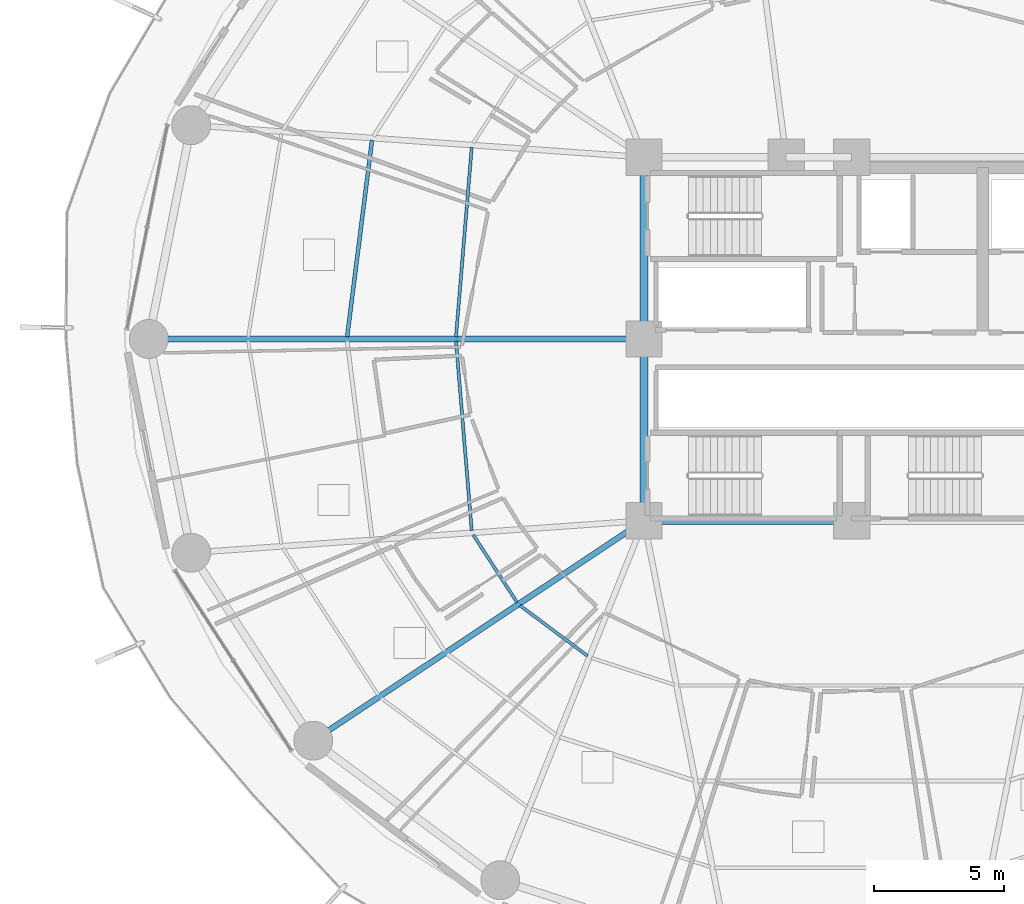
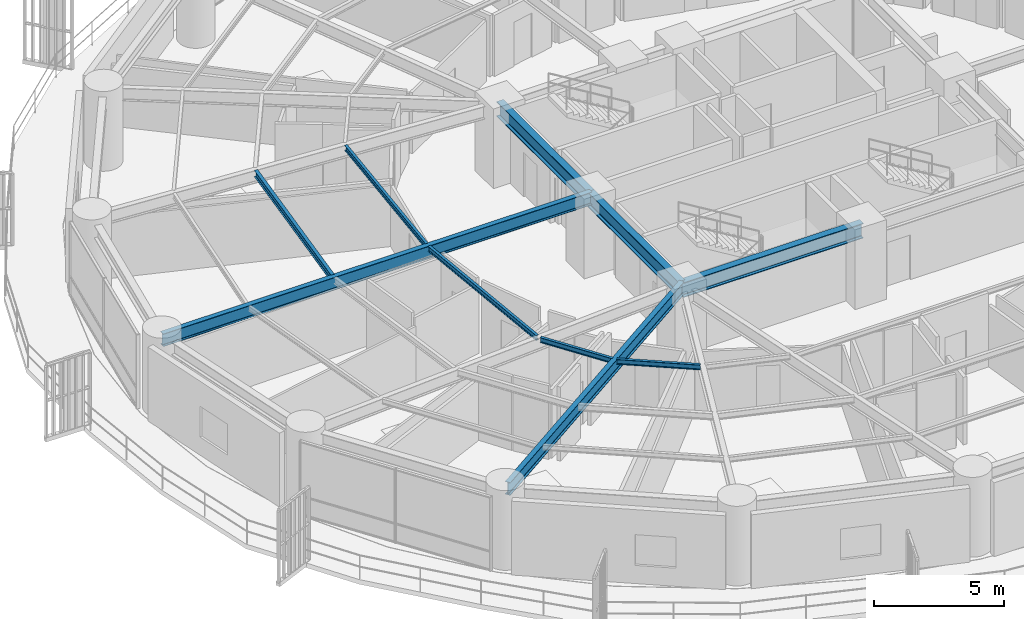
# One storey, part 7 of 34: 10 beams.
"""IFC4 building model written with IfcOpenShell, lengths in metres."""

import ifcopenshell
import ifcopenshell.guid

model = None  # the IFC model being written
_history = None  # IfcOwnerHistory: only IFC2X3 demands one
_inside = {}  # id of a spatial element -> (the spatial element, [elements in it])
_under = {}  # id of a project, library or spatial element -> (it, [spatial elements below it])
_declared = {}  # id of a project -> (the project, [libraries it declares])
_typed = {}  # id of a type object -> (the type object, [elements of that type])
_made_of = {}  # id of a material, layer set ... -> (it, [elements and type objects made of it])


def new_model(schema):
    """Start an empty IFC model of exactly this schema.

    Asked for "IFC4X3", IfcOpenShell would pick the latest addendum, in which some entities
    have other attributes; the version numbers below select the first issue.
    IFC2X3 requires an IfcOwnerHistory on every rooted entity: one is made here for all.
    """
    global model, _history
    if schema == "IFC4X3":
        model = ifcopenshell.file(schema_version=(4, 3, 0, 0))
    else:
        model = ifcopenshell.file(schema=schema)
    _inside.clear()
    _under.clear()
    _declared.clear()
    _typed.clear()
    _made_of.clear()
    _history = None
    if model.schema == "IFC2X3":
        org = make("IfcOrganization", Name="unknown")
        user = make(
            "IfcPersonAndOrganization",
            ThePerson=make("IfcPerson", FamilyName="unknown"),
            TheOrganization=org,
        )
        app = make(
            "IfcApplication",
            ApplicationDeveloper=org,
            Version="unknown",
            ApplicationFullName="unknown",
            ApplicationIdentifier="unknown",
        )
        _history = make(
            "IfcOwnerHistory",
            OwningUser=user,
            OwningApplication=app,
            ChangeAction="ADDED",
            CreationDate=0,
        )
    return model


def make(cls, **values):
    """One entity of the class cls with the attributes given. An attribute that is None is left unset."""
    return model.create_entity(
        cls, **{name: value for name, value in values.items() if value is not None}
    )


def rooted(cls, **values):
    """An entity with a GlobalId (a new one), such as an element, a storey or a relation."""
    return make(cls, GlobalId=ifcopenshell.guid.new(), OwnerHistory=_history, **values)


def si_unit(unit_type, name, prefix=None):
    """IfcSIUnit, for example si_unit("LENGTHUNIT", "METRE", prefix="MILLI")."""
    return make("IfcSIUnit", UnitType=unit_type, Prefix=prefix, Name=name)


def assignment(units):
    """IfcUnitAssignment: the units of a project."""
    return None if units is None else make("IfcUnitAssignment", Units=units)


def point(xyz):
    """IfcCartesianPoint."""
    return None if xyz is None else make("IfcCartesianPoint", Coordinates=xyz)


def direction(xyz):
    """IfcDirection."""
    return None if xyz is None else make("IfcDirection", DirectionRatios=xyz)


def frame(location, z_axis=None, x_axis=None):
    """IfcAxis2Placement3D, a coordinate frame: its origin and axes. An axis left out is left unset."""
    return make(
        "IfcAxis2Placement3D",
        Location=point(location),
        Axis=direction(z_axis),
        RefDirection=direction(x_axis),
    )


def frame_2d(location, x_axis=None):
    """IfcAxis2Placement2D, a coordinate frame in the plane: its origin and x axis."""
    return make(
        "IfcAxis2Placement2D", Location=point(location), RefDirection=direction(x_axis)
    )


def origin():
    """The frame at (0, 0, 0) with its axes left unset."""
    return frame((0.0, 0.0, 0.0))


def origin_2d():
    """The frame at (0, 0) in the plane with its x axis left unset."""
    return frame_2d((0.0, 0.0))


def place(relative_to, where):
    """IfcLocalPlacement: puts the frame where relative to a parent placement (None: the world)."""
    return make(
        "IfcLocalPlacement", PlacementRelTo=relative_to, RelativePlacement=where
    )


def context(
    kind, dimensions, precision=None, world=None, true_north=None, identifier=None
):
    """IfcGeometricRepresentationContext, for example the 3D "Model" context."""
    return make(
        "IfcGeometricRepresentationContext",
        ContextIdentifier=identifier,
        ContextType=kind,
        CoordinateSpaceDimension=dimensions,
        Precision=precision,
        WorldCoordinateSystem=world,
        TrueNorth=true_north,
    )


def subcontext(parent, identifier, kind, view, scale=None):
    """IfcGeometricRepresentationSubContext, for example "Body" below "Model"."""
    return make(
        "IfcGeometricRepresentationSubContext",
        ContextIdentifier=identifier,
        ContextType=kind,
        ParentContext=parent,
        TargetScale=scale,
        TargetView=view,
    )


def project(units=None, contexts=None):
    """IfcProject with its units and contexts."""
    return rooted(
        "IfcProject",
        Name="project",
        RepresentationContexts=contexts,
        UnitsInContext=assignment(units),
    )


def spatial(cls, under=None, at=None, **own):
    """A site, building, storey or space (cls), placed at a placement, below another one or the project."""
    s = rooted(cls, ObjectPlacement=at, **own)
    if under is not None:
        _under.setdefault(under.id(), (under, []))[1].append(s)
    return s


def profile(cls, at=None, kind="AREA", **sizes):
    """A parametric profile (cls). Its sizes go by their IFC names, for example OverallWidth=200.0."""
    return make(cls, ProfileType=kind, Position=at, **sizes)


def i_section(**sizes):
    """IfcIShapeProfileDef."""
    return profile("IfcIShapeProfileDef", **sizes)


def extrude(swept, where, along, depth):
    """IfcExtrudedAreaSolid: the profile swept, set in the frame where, extruded along a direction by depth."""
    return make(
        "IfcExtrudedAreaSolid",
        SweptArea=swept,
        Position=where,
        ExtrudedDirection=direction(along),
        Depth=depth,
    )


def shape(context_of_items, identifier, shape_type, items):
    """IfcShapeRepresentation: the items that make up one representation, for example the "Body"."""
    return make(
        "IfcShapeRepresentation",
        ContextOfItems=context_of_items,
        RepresentationIdentifier=identifier,
        RepresentationType=shape_type,
        Items=items,
    )


def material(Name=None, Category=None):
    """IfcMaterial."""
    return make("IfcMaterial", Name=Name, Category=Category)


def material_profile(
    of_material, cross_section, Name=None, Category=None, Priority=None
):
    """IfcMaterialProfile: a cross section and its material."""
    return make(
        "IfcMaterialProfile",
        Name=Name,
        Material=of_material,
        Profile=cross_section,
        Priority=Priority,
        Category=Category,
    )


def profile_set(profiles, Name=None, composite=None):
    """IfcMaterialProfileSet."""
    return make(
        "IfcMaterialProfileSet",
        Name=Name,
        MaterialProfiles=profiles,
        CompositeProfile=composite,
    )


def made_of(thing, what):
    """Note that an element or type object is made of a material, layer set ...; save() writes the relation."""
    if what is not None:
        _made_of.setdefault(what.id(), (what, []))[1].append(thing)
    return thing


def type_object(cls, material=None, **own):
    """A type object (cls), such as IfcWallType, which elements share."""
    return made_of(rooted(cls, **own), material)


def element(
    cls,
    number,
    at=None,
    inside=None,
    cuts=None,
    type_object=None,
    material=None,
    context=None,
    identifier="Body",
    shape_type=None,
    held_by="IfcProductDefinitionShape",
    body=None,
    shapes=None,
    **own,
):
    """One element of the class cls, such as IfcWall. Its Tag is "e" and its number.

    at: its placement. inside: the storey or other place that contains it. cuts: it is an
    opening in that element (IfcRelVoidsElement). A single representation is given by context,
    identifier, shape_type and body (its items); several are given by shapes. held_by: the class
    of the entity that holds the representations. save() writes the other relations.
    """
    e = rooted(cls, Tag="e%d" % number, ObjectPlacement=at, **own)
    if body is not None:
        shapes = [shape(context, identifier, shape_type, body)]
    if shapes is not None:
        e.Representation = make(held_by, Representations=shapes)
    if inside is not None:
        _inside.setdefault(inside.id(), (inside, []))[1].append(e)
    if cuts is not None:
        rooted(
            "IfcRelVoidsElement", RelatingBuildingElement=cuts, RelatedOpeningElement=e
        )
    if type_object is not None:
        _typed.setdefault(type_object.id(), (type_object, []))[1].append(e)
    return made_of(e, material)


def aggregate(whole, parts):
    """IfcRelAggregates: a whole, such as a stair, and the parts it consists of."""
    return rooted("IfcRelAggregates", RelatingObject=whole, RelatedObjects=parts)


def save(model, path):
    """Write the relations noted so far, then the file.

    IfcRelAggregates (storeys below a building ...), IfcRelContainedInSpatialStructure (elements
    in a storey), IfcRelDefinesByType, IfcRelAssociatesMaterial and IfcRelDeclares: one each for
    every whole, place, type object, material and project.
    """
    for whole, parts in _under.values():
        aggregate(whole, parts)
    for where, things in _inside.values():
        rooted(
            "IfcRelContainedInSpatialStructure",
            RelatedElements=things,
            RelatingStructure=where,
        )
    for kind, things in _typed.values():
        rooted("IfcRelDefinesByType", RelatedObjects=things, RelatingType=kind)
    for what, things in _made_of.values():
        rooted("IfcRelAssociatesMaterial", RelatedObjects=things, RelatingMaterial=what)
    for by, libraries in _declared.values():
        rooted("IfcRelDeclares", RelatingContext=by, RelatedDefinitions=libraries)
    model.write(path)


model = new_model("IFC4")

# Units and contexts
model_context = context("Model", 3, precision=1e-05, world=origin(), true_north=direction((0.0, 1.0)))
body_context = subcontext(model_context, "Body", "Model", "MODEL_VIEW")
ifc_project = project(units=[si_unit("LENGTHUNIT", "METRE"), si_unit("AREAUNIT", "SQUARE_METRE"), si_unit("VOLUMEUNIT", "CUBIC_METRE"), si_unit("PLANEANGLEUNIT", "RADIAN"), si_unit("MASSUNIT", "GRAM", prefix="KILO")], contexts=[model_context])

# Site, building, storey
site_placement = place(None, origin())
site = spatial("IfcSite", under=ifc_project, at=site_placement, CompositionType="ELEMENT")
building_placement = place(site_placement, origin())
building = spatial("IfcBuilding", under=site, at=building_placement, Name="Kelanora Arch Commons", CompositionType="ELEMENT")
storey_placement = place(building_placement, frame((0.0, 0.0, 33.75)))
storey = spatial("IfcBuildingStorey", under=building, at=storey_placement, Name="L08", CompositionType="ELEMENT", Elevation=33.75)

# Beams
ifc_material = material(Name="Steel S355", Category="steel")
ifc_material_profile_1 = material_profile(ifc_material, i_section(OverallWidth=0.300048828125, OverallDepth=0.699951171875, WebThickness=0.01708984375, FlangeThickness=0.031982421875, FilletRadius=0.027099609375, at=origin_2d()), Name="HEB700")
ifc_profile_set_1 = profile_set([ifc_material_profile_1], Name="Steel S355")
beam_type_1 = type_object("IfcBeamType", Name="BM-CORE-HDR", PredefinedType="BEAM", material=ifc_profile_set_1)
beam_1_placement = place(storey_placement, frame((66.0, 51.0, 3.139892578125), z_axis=(1.0, 0.0, 0.0), x_axis=(0.0, 1.0, 0.0)))
element("IfcBeam", 1, at=beam_1_placement, inside=storey, type_object=beam_type_1, Name="Core Header Beam 01 L08", PredefinedType="BEAM", context=body_context, shape_type="SweptSolid", body=[
    extrude(i_section(OverallWidth=0.300048828125, OverallDepth=0.699951171875, WebThickness=0.01708984375, FlangeThickness=0.031982421875, FilletRadius=0.027099609375, at=origin_2d()), origin(), (0.0, 0.0, 1.0), 8.0),
])
for number, where, z_axis, x_axis, name in (
    (2, (66.0, 65.0, 3.139892578125), (0.0, -1.0, 0.0), (1.0, 0.0, 0.0), "Core Header Beam 08 L08"),
    (3, (66.0, 58.0, 3.139892578125), (0.0, -1.0, 0.0), (1.0, 0.0, 0.0), "Core Header Beam 09 L08"),
):
    element("IfcBeam", number, at=place(storey_placement, frame(where, z_axis=z_axis, x_axis=x_axis)), inside=storey, type_object=beam_type_1, Name=name, PredefinedType="BEAM", context=body_context, shape_type="SweptSolid", body=[
        extrude(i_section(OverallWidth=0.300048828125, OverallDepth=0.699951171875, WebThickness=0.01708984375, FlangeThickness=0.031982421875, FilletRadius=0.027099609375, at=origin_2d()), origin(), (0.0, 0.0, 1.0), 7.0),
    ])
ifc_material_profile_2 = material_profile(ifc_material, i_section(OverallWidth=0.14990234375, OverallDepth=0.300048828125, WebThickness=0.007080078125, FlangeThickness=0.0107421875, FilletRadius=0.014892578125, at=origin_2d()), Name="IPE300")
ifc_profile_set_2 = profile_set([ifc_material_profile_2], Name="Steel S355")
beam_type_2 = type_object("IfcBeamType", Name="BM-JST-01", PredefinedType="JOIST", material=ifc_profile_set_2)
beam_2_placement = place(storey_placement, frame((55.521240234375, 65.6572265625, 3.340087890625), z_axis=(-0.125565841651, -0.992085288375, 0.0), x_axis=(0.992085288375, -0.125565841651, 0.0)))
element("IfcBeam", 4, at=beam_2_placement, inside=storey, type_object=beam_type_2, Name="Secondary Chord Joist BJB-16 L08", PredefinedType="JOIST", context=body_context, shape_type="SweptSolid", body=[
    extrude(i_section(OverallWidth=0.14990234375, OverallDepth=0.300048828125, WebThickness=0.007080078125, FlangeThickness=0.0107421875, FilletRadius=0.014892578125, at=origin_2d()), origin(), (0.0, 0.0, 1.0), 7.63330078125),
])
ifc_material_profile_3 = material_profile(ifc_material, i_section(OverallWidth=0.1201171875, OverallDepth=0.239990234375, WebThickness=0.006103515625, FlangeThickness=0.009765625, FilletRadius=0.014892578125, at=origin_2d()), Name="IPE240")
ifc_profile_set_3 = profile_set([ifc_material_profile_3], Name="Steel S355")
beam_type_3 = type_object("IfcBeamType", Name="BM-JST-02", PredefinedType="JOIST", material=ifc_profile_set_3)
for number, where, z_axis, x_axis, name in (
    (5, (59.363037109375, 65.385009765625, 3.3701171875), (-0.082786209886, -0.996567330115, 0.0), (0.996567330115, -0.082786209886, 0.0), "Secondary Chord Joist BJA-16 L08"),
    (6, (58.756591796875, 57.915283203125, 3.3701171875), (0.082786209886, -0.996567330115, 0.0), (0.996567330115, 0.082786209886, 0.0), "Secondary Chord Joist BJA-18 L08"),
):
    element("IfcBeam", number, at=place(storey_placement, frame(where, z_axis=z_axis, x_axis=x_axis)), inside=storey, type_object=beam_type_3, Name=name, PredefinedType="JOIST", context=body_context, shape_type="SweptSolid", body=[
        extrude(i_section(OverallWidth=0.1201171875, OverallDepth=0.239990234375, WebThickness=0.006103515625, FlangeThickness=0.009765625, FilletRadius=0.014892578125, at=origin_2d()), origin(), (0.0, 0.0, 1.0), 7.325439453125),
    ])
beam_3_placement = place(storey_placement, frame((59.41650390625, 50.458984375, 3.3701171875), z_axis=(0.544591105858, -0.838701691557, 0.0), x_axis=(0.838701691557, 0.544591105858, 0.0)))
element("IfcBeam", 7, at=beam_3_placement, inside=storey, type_object=beam_type_3, Name="Secondary Chord Joist BJA-20 L08", PredefinedType="JOIST", context=body_context, shape_type="SweptSolid", body=[
    extrude(i_section(OverallWidth=0.1201171875, OverallDepth=0.239990234375, WebThickness=0.006103515625, FlangeThickness=0.009765625, FilletRadius=0.014892578125, at=origin_2d()), origin(), (0.0, 0.0, 1.0), 3.111328125),
])
beam_4_placement = place(storey_placement, frame((61.22509765625, 47.727294921875, 3.3701171875), z_axis=(0.801513822608, -0.59797624716, 0.0), x_axis=(0.59797624716, 0.801513822608, 0.0)))
element("IfcBeam", 8, at=beam_4_placement, inside=storey, type_object=beam_type_3, Name="Secondary Chord Joist BJA-22 L08", PredefinedType="JOIST", context=body_context, shape_type="SweptSolid", body=[
    extrude(i_section(OverallWidth=0.1201171875, OverallDepth=0.239990234375, WebThickness=0.006103515625, FlangeThickness=0.009765625, FilletRadius=0.014892578125, at=origin_2d()), origin(), (0.0, 0.0, 1.0), 3.245849609375),
])
ifc_material_profile_4 = material_profile(ifc_material, i_section(OverallWidth=0.219970703125, OverallDepth=0.60009765625, WebThickness=0.011962890625, FlangeThickness=0.01904296875, FilletRadius=0.02392578125, at=origin_2d()), Name="IPE600")
ifc_profile_set_4 = profile_set([ifc_material_profile_4], Name="Steel S355")
beam_type_4 = type_object("IfcBeamType", Name="BM-RAD-Z1", PredefinedType="BEAM", material=ifc_profile_set_4)
beam_5_placement = place(storey_placement, frame((66.0, 58.0, 3.18994140625), z_axis=(-1.0, 0.0, 0.0), x_axis=(0.0, -1.0, 0.0)))
element("IfcBeam", 9, at=beam_5_placement, inside=storey, type_object=beam_type_4, Name="Radial Floor Girder BR-18 L08", PredefinedType="BEAM", context=body_context, shape_type="SweptSolid", body=[
    extrude(i_section(OverallWidth=0.219970703125, OverallDepth=0.60009765625, WebThickness=0.011962890625, FlangeThickness=0.01904296875, FilletRadius=0.02392578125, at=origin_2d()), origin(), (0.0, 0.0, 1.0), 19.080078125),
])
beam_6_placement = place(storey_placement, frame((66.0, 51.0, 3.18994140625), z_axis=(-0.832592623638, -0.553885839379, 0.0), x_axis=(0.553885839379, -0.832592623638, 0.0)))
element("IfcBeam", 10, at=beam_6_placement, inside=storey, type_object=beam_type_4, Name="Radial Floor Girder BR-22 L08", PredefinedType="BEAM", context=body_context, shape_type="SweptSolid", body=[
    extrude(i_section(OverallWidth=0.219970703125, OverallDepth=0.60009765625, WebThickness=0.011962890625, FlangeThickness=0.01904296875, FilletRadius=0.02392578125, at=origin_2d()), origin(), (0.0, 0.0, 1.0), 15.0869140625),
])

save(model, "model.ifc")
